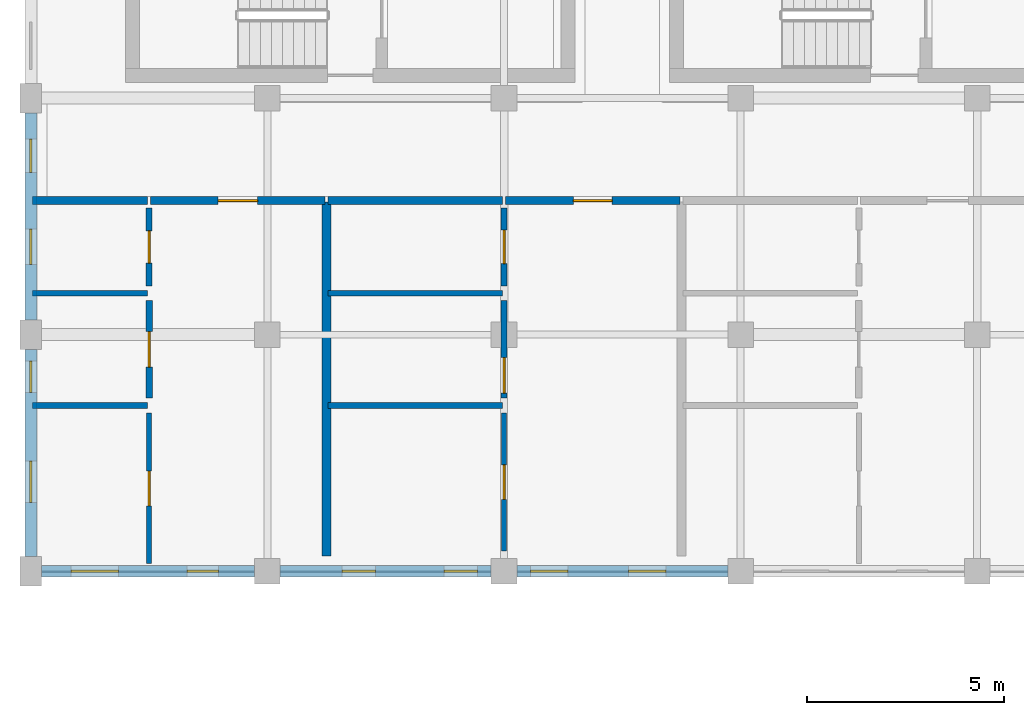
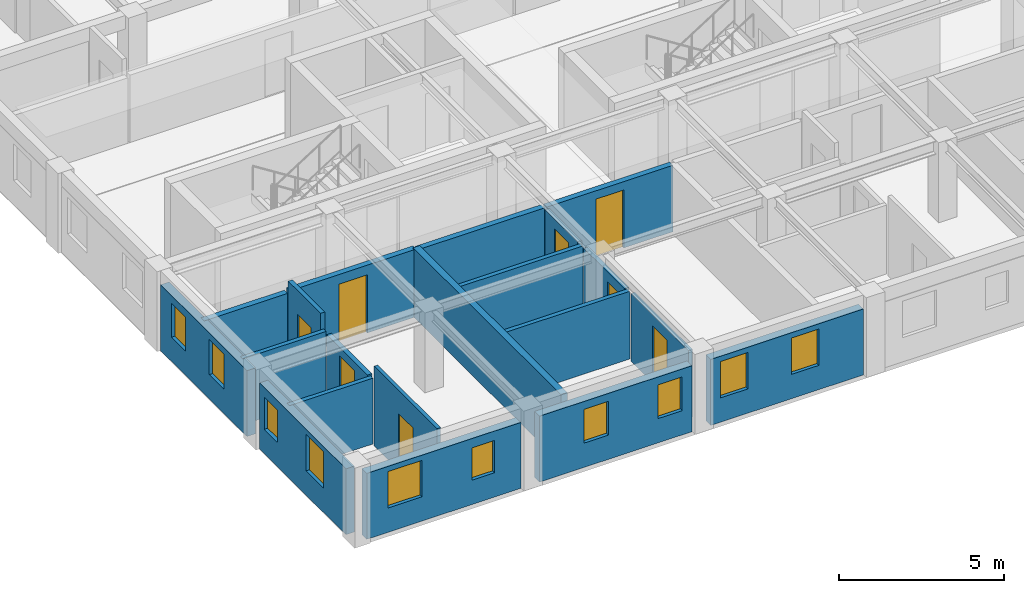
# One storey, part 54 of 100: 20 walls, 10 windows, 8 doors, 18 openings.
"""IFC4 building model written with IfcOpenShell, lengths in metres."""

import ifcopenshell
import ifcopenshell.guid

model = None  # the IFC model being written
_history = None  # IfcOwnerHistory: only IFC2X3 demands one
_inside = {}  # id of a spatial element -> (the spatial element, [elements in it])
_under = {}  # id of a project, library or spatial element -> (it, [spatial elements below it])
_declared = {}  # id of a project -> (the project, [libraries it declares])
_typed = {}  # id of a type object -> (the type object, [elements of that type])
_made_of = {}  # id of a material, layer set ... -> (it, [elements and type objects made of it])


def new_model(schema):
    """Start an empty IFC model of exactly this schema.

    Asked for "IFC4X3", IfcOpenShell would pick the latest addendum, in which some entities
    have other attributes; the version numbers below select the first issue.
    IFC2X3 requires an IfcOwnerHistory on every rooted entity: one is made here for all.
    """
    global model, _history
    if schema == "IFC4X3":
        model = ifcopenshell.file(schema_version=(4, 3, 0, 0))
    else:
        model = ifcopenshell.file(schema=schema)
    _inside.clear()
    _under.clear()
    _declared.clear()
    _typed.clear()
    _made_of.clear()
    _history = None
    if model.schema == "IFC2X3":
        org = make("IfcOrganization", Name="unknown")
        user = make(
            "IfcPersonAndOrganization",
            ThePerson=make("IfcPerson", FamilyName="unknown"),
            TheOrganization=org,
        )
        app = make(
            "IfcApplication",
            ApplicationDeveloper=org,
            Version="unknown",
            ApplicationFullName="unknown",
            ApplicationIdentifier="unknown",
        )
        _history = make(
            "IfcOwnerHistory",
            OwningUser=user,
            OwningApplication=app,
            ChangeAction="ADDED",
            CreationDate=0,
        )
    return model


def make(cls, **values):
    """One entity of the class cls with the attributes given. An attribute that is None is left unset."""
    return model.create_entity(
        cls, **{name: value for name, value in values.items() if value is not None}
    )


def rooted(cls, **values):
    """An entity with a GlobalId (a new one), such as an element, a storey or a relation."""
    return make(cls, GlobalId=ifcopenshell.guid.new(), OwnerHistory=_history, **values)


def si_unit(unit_type, name, prefix=None):
    """IfcSIUnit, for example si_unit("LENGTHUNIT", "METRE", prefix="MILLI")."""
    return make("IfcSIUnit", UnitType=unit_type, Prefix=prefix, Name=name)


def assignment(units):
    """IfcUnitAssignment: the units of a project."""
    return None if units is None else make("IfcUnitAssignment", Units=units)


def point(xyz):
    """IfcCartesianPoint."""
    return None if xyz is None else make("IfcCartesianPoint", Coordinates=xyz)


def direction(xyz):
    """IfcDirection."""
    return None if xyz is None else make("IfcDirection", DirectionRatios=xyz)


def frame(location, z_axis=None, x_axis=None):
    """IfcAxis2Placement3D, a coordinate frame: its origin and axes. An axis left out is left unset."""
    return make(
        "IfcAxis2Placement3D",
        Location=point(location),
        Axis=direction(z_axis),
        RefDirection=direction(x_axis),
    )


def frame_2d(location, x_axis=None):
    """IfcAxis2Placement2D, a coordinate frame in the plane: its origin and x axis."""
    return make(
        "IfcAxis2Placement2D", Location=point(location), RefDirection=direction(x_axis)
    )


def origin():
    """The frame at (0, 0, 0) with its axes left unset."""
    return frame((0.0, 0.0, 0.0))


def place(relative_to, where):
    """IfcLocalPlacement: puts the frame where relative to a parent placement (None: the world)."""
    return make(
        "IfcLocalPlacement", PlacementRelTo=relative_to, RelativePlacement=where
    )


def context(
    kind, dimensions, precision=None, world=None, true_north=None, identifier=None
):
    """IfcGeometricRepresentationContext, for example the 3D "Model" context."""
    return make(
        "IfcGeometricRepresentationContext",
        ContextIdentifier=identifier,
        ContextType=kind,
        CoordinateSpaceDimension=dimensions,
        Precision=precision,
        WorldCoordinateSystem=world,
        TrueNorth=true_north,
    )


def subcontext(parent, identifier, kind, view, scale=None):
    """IfcGeometricRepresentationSubContext, for example "Body" below "Model"."""
    return make(
        "IfcGeometricRepresentationSubContext",
        ContextIdentifier=identifier,
        ContextType=kind,
        ParentContext=parent,
        TargetScale=scale,
        TargetView=view,
    )


def project(units=None, contexts=None):
    """IfcProject with its units and contexts."""
    return rooted(
        "IfcProject",
        Name="project",
        RepresentationContexts=contexts,
        UnitsInContext=assignment(units),
    )


def spatial(cls, under=None, at=None, **own):
    """A site, building, storey or space (cls), placed at a placement, below another one or the project."""
    s = rooted(cls, ObjectPlacement=at, **own)
    if under is not None:
        _under.setdefault(under.id(), (under, []))[1].append(s)
    return s


def profile(cls, at=None, kind="AREA", **sizes):
    """A parametric profile (cls). Its sizes go by their IFC names, for example OverallWidth=200.0."""
    return make(cls, ProfileType=kind, Position=at, **sizes)


def rectangle(**sizes):
    """IfcRectangleProfileDef."""
    return profile("IfcRectangleProfileDef", **sizes)


def extrude(swept, where, along, depth):
    """IfcExtrudedAreaSolid: the profile swept, set in the frame where, extruded along a direction by depth."""
    return make(
        "IfcExtrudedAreaSolid",
        SweptArea=swept,
        Position=where,
        ExtrudedDirection=direction(along),
        Depth=depth,
    )


def shape(context_of_items, identifier, shape_type, items):
    """IfcShapeRepresentation: the items that make up one representation, for example the "Body"."""
    return make(
        "IfcShapeRepresentation",
        ContextOfItems=context_of_items,
        RepresentationIdentifier=identifier,
        RepresentationType=shape_type,
        Items=items,
    )


def material(Name=None, Category=None):
    """IfcMaterial."""
    return make("IfcMaterial", Name=Name, Category=Category)


def layer(
    of_material, thickness, ventilated=None, Name=None, Category=None, Priority=None
):
    """IfcMaterialLayer: one layer of a wall or slab, of a material (None: an air gap)."""
    return make(
        "IfcMaterialLayer",
        Material=of_material,
        LayerThickness=thickness,
        IsVentilated=ventilated,
        Name=Name,
        Category=Category,
        Priority=Priority,
    )


def layer_set(layers, Name=None):
    """IfcMaterialLayerSet."""
    return make("IfcMaterialLayerSet", MaterialLayers=layers, LayerSetName=Name)


def made_of(thing, what):
    """Note that an element or type object is made of a material, layer set ...; save() writes the relation."""
    if what is not None:
        _made_of.setdefault(what.id(), (what, []))[1].append(thing)
    return thing


def type_object(cls, material=None, **own):
    """A type object (cls), such as IfcWallType, which elements share."""
    return made_of(rooted(cls, **own), material)


def element(
    cls,
    number,
    at=None,
    inside=None,
    cuts=None,
    type_object=None,
    material=None,
    context=None,
    identifier="Body",
    shape_type=None,
    held_by="IfcProductDefinitionShape",
    body=None,
    shapes=None,
    **own,
):
    """One element of the class cls, such as IfcWall. Its Tag is "e" and its number.

    at: its placement. inside: the storey or other place that contains it. cuts: it is an
    opening in that element (IfcRelVoidsElement). A single representation is given by context,
    identifier, shape_type and body (its items); several are given by shapes. held_by: the class
    of the entity that holds the representations. save() writes the other relations.
    """
    e = rooted(cls, Tag="e%d" % number, ObjectPlacement=at, **own)
    if body is not None:
        shapes = [shape(context, identifier, shape_type, body)]
    if shapes is not None:
        e.Representation = make(held_by, Representations=shapes)
    if inside is not None:
        _inside.setdefault(inside.id(), (inside, []))[1].append(e)
    if cuts is not None:
        rooted(
            "IfcRelVoidsElement", RelatingBuildingElement=cuts, RelatedOpeningElement=e
        )
    if type_object is not None:
        _typed.setdefault(type_object.id(), (type_object, []))[1].append(e)
    return made_of(e, material)


def fill(opening, filler):
    """IfcRelFillsElement: the door or window that sits in an opening."""
    return rooted(
        "IfcRelFillsElement",
        RelatingOpeningElement=opening,
        RelatedBuildingElement=filler,
    )


def aggregate(whole, parts):
    """IfcRelAggregates: a whole, such as a stair, and the parts it consists of."""
    return rooted("IfcRelAggregates", RelatingObject=whole, RelatedObjects=parts)


def save(model, path):
    """Write the relations noted so far, then the file.

    IfcRelAggregates (storeys below a building ...), IfcRelContainedInSpatialStructure (elements
    in a storey), IfcRelDefinesByType, IfcRelAssociatesMaterial and IfcRelDeclares: one each for
    every whole, place, type object, material and project.
    """
    for whole, parts in _under.values():
        aggregate(whole, parts)
    for where, things in _inside.values():
        rooted(
            "IfcRelContainedInSpatialStructure",
            RelatedElements=things,
            RelatingStructure=where,
        )
    for kind, things in _typed.values():
        rooted("IfcRelDefinesByType", RelatedObjects=things, RelatingType=kind)
    for what, things in _made_of.values():
        rooted("IfcRelAssociatesMaterial", RelatedObjects=things, RelatingMaterial=what)
    for by, libraries in _declared.values():
        rooted("IfcRelDeclares", RelatingContext=by, RelatedDefinitions=libraries)
    model.write(path)


model = new_model("IFC4")

# Units and contexts
model_context = context("Model", 3, precision=1e-05, world=origin(), true_north=direction((0.0, 1.0)))
body_context = subcontext(model_context, "Body", "Model", "MODEL_VIEW")
ifc_project = project(units=[si_unit("LENGTHUNIT", "METRE"), si_unit("AREAUNIT", "SQUARE_METRE"), si_unit("VOLUMEUNIT", "CUBIC_METRE"), si_unit("PLANEANGLEUNIT", "RADIAN"), si_unit("MASSUNIT", "GRAM", prefix="KILO"), si_unit("POWERUNIT", "WATT"), si_unit("THERMODYNAMICTEMPERATUREUNIT", "KELVIN")], contexts=[model_context])

# Site, building, storey
site_placement = place(None, origin())
site = spatial("IfcSite", under=ifc_project, at=site_placement, CompositionType="ELEMENT")
building_placement = place(site_placement, origin())
building = spatial("IfcBuilding", under=site, at=building_placement, Name="Ruvembo Vaulted Housing Court", CompositionType="ELEMENT")
storey_placement = place(building_placement, frame((0.0, 0.0, 10.89990234375)))
storey = spatial("IfcBuildingStorey", under=building, at=storey_placement, Name="L03", CompositionType="ELEMENT", Elevation=10.89990234375)

# Wall
ifc_material_1 = material(Name="Concrete Blockwork 200", Category="masonry")
ifc_layer_1 = layer(ifc_material_1, 0.199951171875, Name="Concrete Blockwork 200")
ifc_layer_set_1 = layer_set([ifc_layer_1], Name="Concrete Blockwork 200")
wall_type_1 = type_object("IfcWallType", Name="WL-CORR-200", PredefinedType="SOLIDWALL", material=ifc_layer_set_1)
wall_1_placement = place(storey_placement, frame((0.0400390625, 15.39990234375, 0.0), z_axis=(0.0, 0.0, 1.0), x_axis=(1.0, 0.0, 0.0)))
element("IfcWall", 1, at=wall_1_placement, inside=storey, type_object=wall_type_1, Name="L03 Flat A-L03-S1 Corridor Wall WL-INT-L03-00776", PredefinedType="SOLIDWALL", context=body_context, shape_type="SweptSolid", body=[
    extrude(rectangle(XDim=2.919921875, YDim=0.199951171875, at=frame_2d((1.4599609375, 0.0))), origin(), (0.0, 0.0, 1.0), 2.442138671875),
])

# Wall, opening, door
wall_2_placement = place(storey_placement, frame((3.0400390625, 15.39990234375, 0.0), z_axis=(0.0, 0.0, 1.0), x_axis=(1.0, 0.0, 0.0)))
wall_2 = element("IfcWall", 2, at=wall_2_placement, inside=storey, type_object=wall_type_1, Name="L03 Flat A-L03-S1 Entrance WL-INT-L03-00777", PredefinedType="SOLIDWALL", context=body_context, shape_type="SweptSolid", body=[
    extrude(rectangle(XDim=4.419921875, YDim=0.199951171875, at=frame_2d((2.2099609375, 0.0))), origin(), (0.0, 0.0, 1.0), 2.508056640625),
])
opening_1_placement = place(wall_2_placement, frame((1.7099609375, 0.0, 0.0)))
opening_1 = element("IfcOpeningElement", 3, at=opening_1_placement, cuts=wall_2, Name="Opening FD1", PredefinedType="OPENING", context=body_context, shape_type="SweptSolid", body=[
    extrude(rectangle(XDim=1.0, YDim=2.14990234375, at=frame_2d((0.5, 1.074951171875))), frame((0.0, 0.10986328125, 0.0), z_axis=(0.0, -1.0, 0.0), x_axis=(1.0, 0.0, 0.0)), (0.0, 0.0, 1.0), 0.219970703125),
])
ifc_material_2 = material(Name="FSC Hardwood and Engineered Timber", Category="wood")
door_type_1 = type_object("IfcDoorType", Name="DR-FLAT-1000x2150", OperationType="NOTDEFINED", PredefinedType="DOOR", material=ifc_material_2)
door_1_placement = place(opening_1_placement, origin())
door_1 = element("IfcDoor", 4, at=door_1_placement, inside=storey, type_object=door_type_1, Name="L03 Flat A-L03-S1 Entrance Door DR-INT-L03-00432", OperationType="SINGLE_SWING_RIGHT", OverallHeight=2.14990234375, OverallWidth=1.0, PredefinedType="DOOR", context=body_context, shape_type="SweptSolid", body=[
    extrude(rectangle(XDim=1.0, YDim=2.14990234375, at=frame_2d((0.5, 1.074951171875))), frame((0.0, 0.02490234375, 0.0), z_axis=(0.0, -1.0, 0.0), x_axis=(1.0, 0.0, 0.0)), (0.0, 0.0, 1.0), 0.050048828125),
])
fill(opening_1, door_1)

# Wall
wall_3_placement = place(storey_placement, frame((7.5400390625, 15.39990234375, 0.0), z_axis=(0.0, 0.0, 1.0), x_axis=(1.0, 0.0, 0.0)))
element("IfcWall", 5, at=wall_3_placement, inside=storey, type_object=wall_type_1, Name="L03 Flat A-L03-S2 Corridor Wall WL-INT-L03-00784", PredefinedType="SOLIDWALL", context=body_context, shape_type="SweptSolid", body=[
    extrude(rectangle(XDim=4.419921875, YDim=0.199951171875, at=frame_2d((2.2099609375, 0.0))), origin(), (0.0, 0.0, 1.0), 2.4580078125),
])

# Wall, opening, door
wall_4_placement = place(storey_placement, frame((12.0400390625, 15.39990234375, 0.0), z_axis=(0.0, 0.0, 1.0), x_axis=(1.0, 0.0, 0.0)))
wall_4 = element("IfcWall", 6, at=wall_4_placement, inside=storey, type_object=wall_type_1, Name="L03 Flat A-L03-S2 Entrance WL-INT-L03-00785", PredefinedType="SOLIDWALL", context=body_context, shape_type="SweptSolid", body=[
    extrude(rectangle(XDim=4.419921875, YDim=0.199951171875, at=frame_2d((2.2099609375, 0.0))), origin(), (0.0, 0.0, 1.0), 2.4580078125),
])
opening_2_placement = place(wall_4_placement, frame((1.719970703125, 0.0, 0.0)))
opening_2 = element("IfcOpeningElement", 7, at=opening_2_placement, cuts=wall_4, Name="Opening FD2", PredefinedType="OPENING", context=body_context, shape_type="SweptSolid", body=[
    extrude(rectangle(XDim=0.97998046875, YDim=2.14990234375, at=frame_2d((0.489990234375, 1.074951171875))), frame((0.0, 0.10986328125, 0.0), z_axis=(0.0, -1.0, 0.0), x_axis=(1.0, 0.0, 0.0)), (0.0, 0.0, 1.0), 0.219970703125),
])
door_type_2 = type_object("IfcDoorType", Name="DR-FLAT-0980x2150", OperationType="NOTDEFINED", PredefinedType="DOOR", material=ifc_material_2)
door_2_placement = place(opening_2_placement, origin())
door_2 = element("IfcDoor", 8, at=door_2_placement, inside=storey, type_object=door_type_2, Name="L03 Flat A-L03-S2 Entrance Door DR-INT-L03-00436", OperationType="SINGLE_SWING_RIGHT", OverallHeight=2.14990234375, OverallWidth=0.97998046875, PredefinedType="DOOR", context=body_context, shape_type="SweptSolid", body=[
    extrude(rectangle(XDim=0.97998046875, YDim=2.14990234375, at=frame_2d((0.489990234375, 1.074951171875))), frame((0.0, 0.02490234375, 0.0), z_axis=(0.0, -1.0, 0.0), x_axis=(1.0, 0.0, 0.0)), (0.0, 0.0, 1.0), 0.050048828125),
])
fill(opening_2, door_2)

# Wall
ifc_material_3 = material(Name="Acoustic Masonry Demising 230", Category="masonry")
ifc_layer_2 = layer(ifc_material_3, 0.22998046875, Name="Acoustic Masonry Demising 230")
ifc_layer_set_2 = layer_set([ifc_layer_2], Name="Acoustic Masonry Demising 230")
wall_type_2 = type_object("IfcWallType", Name="WL-DEM-230", PredefinedType="SOLIDWALL", material=ifc_layer_set_2)
wall_5_placement = place(storey_placement, frame((7.5, 6.389892578125, 0.0), z_axis=(0.0, 0.0, 1.0), x_axis=(0.0, 1.0, 0.0)))
element("IfcWall", 9, at=wall_5_placement, inside=storey, type_object=wall_type_2, Name="L03 Demising A-L03-S1 WL-INT-L03-00775", PredefinedType="SOLIDWALL", context=body_context, shape_type="SweptSolid", body=[
    extrude(rectangle(XDim=8.97021484375, YDim=0.22998046875, at=frame_2d((4.485107421875, 0.0))), origin(), (0.0, 0.0, 1.0), 2.548095703125),
])

# Wall, openings, windows
ifc_material_4 = material(Name="Rendered Masonry 300", Category="masonry")
ifc_layer_3 = layer(ifc_material_4, 0.300048828125, Name="Rendered Masonry 300")
ifc_layer_set_3 = layer_set([ifc_layer_3], Name="Rendered Masonry 300")
wall_type_3 = type_object("IfcWallType", Name="WL-EXT-300", PredefinedType="STANDARD", material=ifc_layer_set_3)
wall_6_placement = place(storey_placement, frame((0.27490234375, 6.0, 0.0), z_axis=(0.0, 0.0, 1.0), x_axis=(1.0, 0.0, 0.0)))
wall_6 = element("IfcWall", 10, at=wall_6_placement, inside=storey, type_object=wall_type_3, Name="Block A L03 Exterior Wall STREET #1", PredefinedType="STANDARD", context=body_context, shape_type="SweptSolid", body=[
    extrude(rectangle(XDim=5.400146484375, YDim=0.300048828125, at=frame_2d((2.7001953125, 0.0))), origin(), (0.0, 0.0, 1.0), 2.442138671875),
])
opening_3_placement = place(wall_6_placement, frame((0.742431640625, 0.0, 0.89990234375)))
opening_3 = element("IfcOpeningElement", 11, at=opening_3_placement, cuts=wall_6, Name="Opening W12", PredefinedType="OPENING", context=body_context, shape_type="SweptSolid", body=[
    extrude(rectangle(XDim=1.199951171875, YDim=1.35009765625, at=frame_2d((0.60009765625, 0.675048828125))), frame((0.0, 0.159912109375, 0.0), z_axis=(0.0, -1.0, 0.0), x_axis=(1.0, 0.0, 0.0)), (0.0, 0.0, 1.0), 0.320068359375),
])
opening_4_placement = place(wall_6_placement, frame((3.6826171875, 0.0, 0.89990234375)))
opening_4 = element("IfcOpeningElement", 12, at=opening_4_placement, cuts=wall_6, Name="Opening W02", PredefinedType="OPENING", context=body_context, shape_type="SweptSolid", body=[
    extrude(rectangle(XDim=0.800048828125, YDim=1.199951171875, at=frame_2d((0.39990234375, 0.60009765625))), frame((0.0, 0.159912109375, 0.0), z_axis=(0.0, -1.0, 0.0), x_axis=(1.0, 0.0, 0.0)), (0.0, 0.0, 1.0), 0.320068359375),
])
ifc_material_5 = material(Name="Double Solar-Control Glazing in Aluminium Frame", Category="aluminium")
window_type_1 = type_object("IfcWindowType", Name="WIN-0800x1200", PartitioningType="SINGLE_PANEL", PredefinedType="WINDOW", material=ifc_material_5)
window_1_placement = place(opening_4_placement, origin())
window_1 = element("IfcWindow", 13, at=window_1_placement, inside=storey, type_object=window_type_1, Name="Block A L03 Window #126", OverallHeight=1.199951171875, OverallWidth=0.800048828125, PartitioningType="SINGLE_PANEL", PredefinedType="WINDOW", context=body_context, shape_type="SweptSolid", body=[
    extrude(rectangle(XDim=0.800048828125, YDim=1.199951171875, at=frame_2d((0.39990234375, 0.60009765625))), frame((0.0, 0.030029296875, 0.0), z_axis=(0.0, -1.0, 0.0), x_axis=(1.0, 0.0, 0.0)), (0.0, 0.0, 1.0), 0.06005859375),
])
fill(opening_4, window_1)
window_type_2 = type_object("IfcWindowType", Name="WIN-1200x1350", PartitioningType="SINGLE_PANEL", PredefinedType="WINDOW", material=ifc_material_5)
window_2_placement = place(opening_3_placement, origin())
window_2 = element("IfcWindow", 14, at=window_2_placement, inside=storey, type_object=window_type_2, Name="Block A L03 Window #125", OverallHeight=1.35009765625, OverallWidth=1.199951171875, PartitioningType="SINGLE_PANEL", PredefinedType="WINDOW", context=body_context, shape_type="SweptSolid", body=[
    extrude(rectangle(XDim=1.199951171875, YDim=1.35009765625, at=frame_2d((0.60009765625, 0.675048828125))), frame((0.0, 0.030029296875, 0.0), z_axis=(0.0, -1.0, 0.0), x_axis=(1.0, 0.0, 0.0)), (0.0, 0.0, 1.0), 0.06005859375),
])
fill(opening_3, window_2)

wall_7_placement = place(storey_placement, frame((6.324951171875, 6.0, 0.0), z_axis=(0.0, 0.0, 1.0), x_axis=(1.0, 0.0, 0.0)))
wall_7 = element("IfcWall", 15, at=wall_7_placement, inside=storey, type_object=wall_type_3, Name="Block A L03 Exterior Wall STREET #2", PredefinedType="STANDARD", context=body_context, shape_type="SweptSolid", body=[
    extrude(rectangle(XDim=5.35009765625, YDim=0.300048828125, at=frame_2d((2.675048828125, 0.0))), origin(), (0.0, 0.0, 1.0), 2.442138671875),
])
opening_5_placement = place(wall_7_placement, frame((1.56494140625, 0.0, 0.89990234375)))
opening_5 = element("IfcOpeningElement", 16, at=opening_5_placement, cuts=wall_7, Name="Opening W03", PredefinedType="OPENING", context=body_context, shape_type="SweptSolid", body=[
    extrude(rectangle(XDim=0.85009765625, YDim=1.25, at=frame_2d((0.425048828125, 0.625))), frame((0.0, 0.159912109375, 0.0), z_axis=(0.0, -1.0, 0.0), x_axis=(1.0, 0.0, 0.0)), (0.0, 0.0, 1.0), 0.320068359375),
])
opening_6_placement = place(wall_7_placement, frame((4.14990234375, 0.0, 0.89990234375)))
opening_6 = element("IfcOpeningElement", 17, at=opening_6_placement, cuts=wall_7, Name="Opening W03", PredefinedType="OPENING", context=body_context, shape_type="SweptSolid", body=[
    extrude(rectangle(XDim=0.85009765625, YDim=1.25, at=frame_2d((0.425048828125, 0.625))), frame((0.0, 0.159912109375, 0.0), z_axis=(0.0, -1.0, 0.0), x_axis=(1.0, 0.0, 0.0)), (0.0, 0.0, 1.0), 0.320068359375),
])
window_type_3 = type_object("IfcWindowType", Name="WIN-0850x1250", PartitioningType="SINGLE_PANEL", PredefinedType="WINDOW", material=ifc_material_5)
window_3_placement = place(opening_5_placement, origin())
window_3 = element("IfcWindow", 18, at=window_3_placement, inside=storey, type_object=window_type_3, Name="Block A L03 Window #127", OverallHeight=1.25, OverallWidth=0.85009765625, PartitioningType="SINGLE_PANEL", PredefinedType="WINDOW", context=body_context, shape_type="SweptSolid", body=[
    extrude(rectangle(XDim=0.85009765625, YDim=1.25, at=frame_2d((0.425048828125, 0.625))), frame((0.0, 0.030029296875, 0.0), z_axis=(0.0, -1.0, 0.0), x_axis=(1.0, 0.0, 0.0)), (0.0, 0.0, 1.0), 0.06005859375),
])
fill(opening_5, window_3)
window_4_placement = place(opening_6_placement, origin())
window_4 = element("IfcWindow", 19, at=window_4_placement, inside=storey, type_object=window_type_3, Name="Block A L03 Window #128", OverallHeight=1.25, OverallWidth=0.85009765625, PartitioningType="SINGLE_PANEL", PredefinedType="WINDOW", context=body_context, shape_type="SweptSolid", body=[
    extrude(rectangle(XDim=0.85009765625, YDim=1.25, at=frame_2d((0.425048828125, 0.625))), frame((0.0, 0.030029296875, 0.0), z_axis=(0.0, -1.0, 0.0), x_axis=(1.0, 0.0, 0.0)), (0.0, 0.0, 1.0), 0.06005859375),
])
fill(opening_6, window_4)

wall_8_placement = place(storey_placement, frame((12.324951171875, 6.0, 0.0), z_axis=(0.0, 0.0, 1.0), x_axis=(1.0, 0.0, 0.0)))
wall_8 = element("IfcWall", 20, at=wall_8_placement, inside=storey, type_object=wall_type_3, Name="Block A L03 Exterior Wall STREET #3", PredefinedType="STANDARD", context=body_context, shape_type="SweptSolid", body=[
    extrude(rectangle(XDim=5.35009765625, YDim=0.300048828125, at=frame_2d((2.675048828125, 0.0))), origin(), (0.0, 0.0, 1.0), 2.442138671875),
])
opening_7_placement = place(wall_8_placement, frame((0.35009765625, 0.0, 0.89990234375)))
opening_7 = element("IfcOpeningElement", 21, at=opening_7_placement, cuts=wall_8, Name="Opening W07", PredefinedType="OPENING", context=body_context, shape_type="SweptSolid", body=[
    extrude(rectangle(XDim=0.949951171875, YDim=1.35009765625, at=frame_2d((0.47509765625, 0.675048828125))), frame((0.0, 0.159912109375, 0.0), z_axis=(0.0, -1.0, 0.0), x_axis=(1.0, 0.0, 0.0)), (0.0, 0.0, 1.0), 0.320068359375),
])
opening_8_placement = place(wall_8_placement, frame((2.8349609375, 0.0, 0.89990234375)))
opening_8 = element("IfcOpeningElement", 22, at=opening_8_placement, cuts=wall_8, Name="Opening W07", PredefinedType="OPENING", context=body_context, shape_type="SweptSolid", body=[
    extrude(rectangle(XDim=0.949951171875, YDim=1.35009765625, at=frame_2d((0.47509765625, 0.675048828125))), frame((0.0, 0.159912109375, 0.0), z_axis=(0.0, -1.0, 0.0), x_axis=(1.0, 0.0, 0.0)), (0.0, 0.0, 1.0), 0.320068359375),
])
window_type_4 = type_object("IfcWindowType", Name="WIN-0950x1350", PartitioningType="SINGLE_PANEL", PredefinedType="WINDOW", material=ifc_material_5)
window_5_placement = place(opening_7_placement, origin())
window_5 = element("IfcWindow", 23, at=window_5_placement, inside=storey, type_object=window_type_4, Name="Block A L03 Window #129", OverallHeight=1.35009765625, OverallWidth=0.949951171875, PartitioningType="SINGLE_PANEL", PredefinedType="WINDOW", context=body_context, shape_type="SweptSolid", body=[
    extrude(rectangle(XDim=0.949951171875, YDim=1.35009765625, at=frame_2d((0.47509765625, 0.675048828125))), frame((0.0, 0.030029296875, 0.0), z_axis=(0.0, -1.0, 0.0), x_axis=(1.0, 0.0, 0.0)), (0.0, 0.0, 1.0), 0.06005859375),
])
fill(opening_7, window_5)
window_6_placement = place(opening_8_placement, origin())
window_6 = element("IfcWindow", 24, at=window_6_placement, inside=storey, type_object=window_type_4, Name="Block A L03 Window #130", OverallHeight=1.35009765625, OverallWidth=0.949951171875, PartitioningType="SINGLE_PANEL", PredefinedType="WINDOW", context=body_context, shape_type="SweptSolid", body=[
    extrude(rectangle(XDim=0.949951171875, YDim=1.35009765625, at=frame_2d((0.47509765625, 0.675048828125))), frame((0.0, 0.030029296875, 0.0), z_axis=(0.0, -1.0, 0.0), x_axis=(1.0, 0.0, 0.0)), (0.0, 0.0, 1.0), 0.06005859375),
])
fill(opening_8, window_6)

wall_9_placement = place(storey_placement, frame((0.0, 17.625, 0.0), z_axis=(0.0, 0.0, 1.0), x_axis=(0.0, -1.0, 0.0)))
wall_9 = element("IfcWall", 25, at=wall_9_placement, inside=storey, type_object=wall_type_3, Name="Block A L03 Exterior Wall WEST #5", PredefinedType="STANDARD", context=body_context, shape_type="SweptSolid", body=[
    extrude(rectangle(XDim=5.25, YDim=0.300048828125, at=frame_2d((2.625, 0.0))), origin(), (0.0, 0.0, 1.0), 2.442138671875),
])
opening_9_placement = place(wall_9_placement, frame((0.66748046875, 0.0, 0.89990234375)))
opening_9 = element("IfcOpeningElement", 26, at=opening_9_placement, cuts=wall_9, Name="Opening W03", PredefinedType="OPENING", context=body_context, shape_type="SweptSolid", body=[
    extrude(rectangle(XDim=0.85009765625, YDim=1.25, at=frame_2d((0.425048828125, 0.625))), frame((0.0, 0.159912109375, 0.0), z_axis=(0.0, -1.0, 0.0), x_axis=(1.0, 0.0, 0.0)), (0.0, 0.0, 1.0), 0.320068359375),
])
opening_10_placement = place(wall_9_placement, frame((2.949951171875, 0.0, 0.89990234375)))
opening_10 = element("IfcOpeningElement", 27, at=opening_10_placement, cuts=wall_9, Name="Opening W04", PredefinedType="OPENING", context=body_context, shape_type="SweptSolid", body=[
    extrude(rectangle(XDim=0.89990234375, YDim=1.300048828125, at=frame_2d((0.449951171875, 0.64990234375))), frame((0.0, 0.159912109375, 0.0), z_axis=(0.0, -1.0, 0.0), x_axis=(1.0, 0.0, 0.0)), (0.0, 0.0, 1.0), 0.320068359375),
])
window_7_placement = place(opening_9_placement, origin())
window_7 = element("IfcWindow", 28, at=window_7_placement, inside=storey, type_object=window_type_3, Name="Block A L03 Window #163", OverallHeight=1.25, OverallWidth=0.85009765625, PartitioningType="SINGLE_PANEL", PredefinedType="WINDOW", context=body_context, shape_type="SweptSolid", body=[
    extrude(rectangle(XDim=0.85009765625, YDim=1.25, at=frame_2d((0.425048828125, 0.625))), frame((0.0, 0.030029296875, 0.0), z_axis=(0.0, -1.0, 0.0), x_axis=(1.0, 0.0, 0.0)), (0.0, 0.0, 1.0), 0.06005859375),
])
fill(opening_9, window_7)
window_type_5 = type_object("IfcWindowType", Name="WIN-0900x1300", PartitioningType="SINGLE_PANEL", PredefinedType="WINDOW", material=ifc_material_5)
window_8_placement = place(opening_10_placement, origin())
window_8 = element("IfcWindow", 29, at=window_8_placement, inside=storey, type_object=window_type_5, Name="Block A L03 Window #164", OverallHeight=1.300048828125, OverallWidth=0.89990234375, PartitioningType="SINGLE_PANEL", PredefinedType="WINDOW", context=body_context, shape_type="SweptSolid", body=[
    extrude(rectangle(XDim=0.89990234375, YDim=1.300048828125, at=frame_2d((0.449951171875, 0.64990234375))), frame((0.0, 0.030029296875, 0.0), z_axis=(0.0, -1.0, 0.0), x_axis=(1.0, 0.0, 0.0)), (0.0, 0.0, 1.0), 0.06005859375),
])
fill(opening_10, window_8)

wall_10_placement = place(storey_placement, frame((0.0, 11.625, 0.0), z_axis=(0.0, 0.0, 1.0), x_axis=(0.0, -1.0, 0.0)))
wall_10 = element("IfcWall", 30, at=wall_10_placement, inside=storey, type_object=wall_type_3, Name="Block A L03 Exterior Wall WEST #6", PredefinedType="STANDARD", context=body_context, shape_type="SweptSolid", body=[
    extrude(rectangle(XDim=5.25, YDim=0.300048828125, at=frame_2d((2.625, 0.0))), origin(), (0.0, 0.0, 1.0), 2.442138671875),
])
opening_11_placement = place(wall_10_placement, frame((0.29248046875, 0.0, 0.89990234375)))
opening_11 = element("IfcOpeningElement", 31, at=opening_11_placement, cuts=wall_10, Name="Opening W02", PredefinedType="OPENING", context=body_context, shape_type="SweptSolid", body=[
    extrude(rectangle(XDim=0.800048828125, YDim=1.199951171875, at=frame_2d((0.39990234375, 0.60009765625))), frame((0.0, 0.159912109375, 0.0), z_axis=(0.0, -1.0, 0.0), x_axis=(1.0, 0.0, 0.0)), (0.0, 0.0, 1.0), 0.320068359375),
])
opening_12_placement = place(wall_10_placement, frame((2.83251953125, 0.0, 0.89990234375)))
opening_12 = element("IfcOpeningElement", 32, at=opening_12_placement, cuts=wall_10, Name="Opening W09", PredefinedType="OPENING", context=body_context, shape_type="SweptSolid", body=[
    extrude(rectangle(XDim=1.050048828125, YDim=1.35009765625, at=frame_2d((0.52490234375, 0.675048828125))), frame((0.0, 0.159912109375, 0.0), z_axis=(0.0, -1.0, 0.0), x_axis=(1.0, 0.0, 0.0)), (0.0, 0.0, 1.0), 0.320068359375),
])
window_9_placement = place(opening_11_placement, origin())
window_9 = element("IfcWindow", 33, at=window_9_placement, inside=storey, type_object=window_type_1, Name="Block A L03 Window #165", OverallHeight=1.199951171875, OverallWidth=0.800048828125, PartitioningType="SINGLE_PANEL", PredefinedType="WINDOW", context=body_context, shape_type="SweptSolid", body=[
    extrude(rectangle(XDim=0.800048828125, YDim=1.199951171875, at=frame_2d((0.39990234375, 0.60009765625))), frame((0.0, 0.030029296875, 0.0), z_axis=(0.0, -1.0, 0.0), x_axis=(1.0, 0.0, 0.0)), (0.0, 0.0, 1.0), 0.06005859375),
])
fill(opening_11, window_9)
window_type_6 = type_object("IfcWindowType", Name="WIN-1050x1350", PartitioningType="SINGLE_PANEL", PredefinedType="WINDOW", material=ifc_material_5)
window_10_placement = place(opening_12_placement, origin())
window_10 = element("IfcWindow", 34, at=window_10_placement, inside=storey, type_object=window_type_6, Name="Block A L03 Window #166", OverallHeight=1.35009765625, OverallWidth=1.050048828125, PartitioningType="SINGLE_PANEL", PredefinedType="WINDOW", context=body_context, shape_type="SweptSolid", body=[
    extrude(rectangle(XDim=1.050048828125, YDim=1.35009765625, at=frame_2d((0.52490234375, 0.675048828125))), frame((0.0, 0.030029296875, 0.0), z_axis=(0.0, -1.0, 0.0), x_axis=(1.0, 0.0, 0.0)), (0.0, 0.0, 1.0), 0.06005859375),
])
fill(opening_12, window_10)

# Wall, opening, door
ifc_material_6 = material(Name="Plasterboard Stud Partition 125", Category="gypsum")
ifc_layer_4 = layer(ifc_material_6, 0.125, Name="Plasterboard Stud Partition 125")
ifc_layer_set_4 = layer_set([ifc_layer_4], Name="Plasterboard Stud Partition 125")
wall_type_4 = type_object("IfcWallType", Name="WL-PART-125", PredefinedType="PARTITIONING", material=ifc_layer_set_4)
wall_11_placement = place(storey_placement, frame((3.0, 6.18994140625, 0.0), z_axis=(0.0, 0.0, 1.0), x_axis=(0.0, 1.0, 0.0)))
wall_11 = element("IfcWall", 35, at=wall_11_placement, inside=storey, type_object=wall_type_4, Name="L03 Flat A-L03-S1 Bedroom 1 WL-INT-L03-00778", PredefinedType="PARTITIONING", context=body_context, shape_type="SweptSolid", body=[
    extrude(rectangle(XDim=3.820068359375, YDim=0.125, at=frame_2d((1.91015625, 0.0))), origin(), (0.0, 0.0, 1.0), 2.960205078125),
])
opening_13_placement = place(wall_11_placement, frame((1.469970703125, 0.0, 0.0)))
opening_13 = element("IfcOpeningElement", 36, at=opening_13_placement, cuts=wall_11, Name="Opening ID3", PredefinedType="OPENING", context=body_context, shape_type="SweptSolid", body=[
    extrude(rectangle(XDim=0.8798828125, YDim=2.10009765625, at=frame_2d((0.43994140625, 1.050048828125))), frame((0.0, 0.072509765625, 0.0), z_axis=(0.0, -1.0, 0.0), x_axis=(1.0, 0.0, 0.0)), (0.0, 0.0, 1.0), 0.14501953125),
])
door_type_3 = type_object("IfcDoorType", Name="DR-ROOM-0880x2100", OperationType="NOTDEFINED", PredefinedType="DOOR", material=ifc_material_2)
door_3_placement = place(opening_13_placement, origin())
door_3 = element("IfcDoor", 37, at=door_3_placement, inside=storey, type_object=door_type_3, Name="L03 Flat A-L03-S1 Bedroom 1 Door DR-INT-L03-00433", OperationType="SINGLE_SWING_LEFT", OverallHeight=2.10009765625, OverallWidth=0.8798828125, PredefinedType="DOOR", context=body_context, shape_type="SweptSolid", body=[
    extrude(rectangle(XDim=0.8798828125, YDim=2.10009765625, at=frame_2d((0.43994140625, 1.050048828125))), frame((0.0, 0.02490234375, 0.0), z_axis=(0.0, -1.0, 0.0), x_axis=(1.0, 0.0, 0.0)), (0.0, 0.0, 1.0), 0.050048828125),
])
fill(opening_13, door_3)

ifc_material_7 = material(Name="Acoustic Stud Partition 135", Category="gypsum")
ifc_layer_5 = layer(ifc_material_7, 0.135009765625, Name="Acoustic Stud Partition 135")
ifc_layer_set_5 = layer_set([ifc_layer_5], Name="Acoustic Stud Partition 135")
wall_type_5 = type_object("IfcWallType", Name="WL-PART-135", PredefinedType="PARTITIONING", material=ifc_layer_set_5)
wall_12_placement = place(storey_placement, frame((12.0, 6.510009765625, 0.0), z_axis=(0.0, 0.0, 1.0), x_axis=(0.0, 1.0, 0.0)))
wall_12 = element("IfcWall", 38, at=wall_12_placement, inside=storey, type_object=wall_type_5, Name="L03 Flat A-L03-S2 Bedroom 1 WL-INT-L03-00786", PredefinedType="PARTITIONING", context=body_context, shape_type="SweptSolid", body=[
    extrude(rectangle(XDim=3.5, YDim=0.135009765625, at=frame_2d((1.75, 0.0))), origin(), (0.0, 0.0, 1.0), 2.508056640625),
])
opening_14_placement = place(wall_12_placement, frame((1.31005859375, 0.0, 0.0)))
opening_14 = element("IfcOpeningElement", 39, at=opening_14_placement, cuts=wall_12, Name="Opening ID3", PredefinedType="OPENING", context=body_context, shape_type="SweptSolid", body=[
    extrude(rectangle(XDim=0.8798828125, YDim=2.10009765625, at=frame_2d((0.43994140625, 1.050048828125))), frame((0.0, 0.077392578125, 0.0), z_axis=(0.0, -1.0, 0.0), x_axis=(1.0, 0.0, 0.0)), (0.0, 0.0, 1.0), 0.155029296875),
])
door_4_placement = place(opening_14_placement, origin())
door_4 = element("IfcDoor", 40, at=door_4_placement, inside=storey, type_object=door_type_3, Name="L03 Flat A-L03-S2 Bedroom 1 Door DR-INT-L03-00437", OperationType="SINGLE_SWING_LEFT", OverallHeight=2.10009765625, OverallWidth=0.8798828125, PredefinedType="DOOR", context=body_context, shape_type="SweptSolid", body=[
    extrude(rectangle(XDim=0.8798828125, YDim=2.10009765625, at=frame_2d((0.43994140625, 1.050048828125))), frame((0.0, 0.02490234375, 0.0), z_axis=(0.0, -1.0, 0.0), x_axis=(1.0, 0.0, 0.0)), (0.0, 0.0, 1.0), 0.050048828125),
])
fill(opening_14, door_4)

ifc_material_8 = material(Name="Moisture-Resistant Wet Partition 150", Category="gypsum")
ifc_layer_6 = layer(ifc_material_8, 0.14990234375, Name="Moisture-Resistant Wet Partition 150")
ifc_layer_set_6 = layer_set([ifc_layer_6], Name="Moisture-Resistant Wet Partition 150")
wall_type_6 = type_object("IfcWallType", Name="WL-PART-150", PredefinedType="PARTITIONING", material=ifc_layer_set_6)
wall_13_placement = place(storey_placement, frame((3.0, 13.239990234375, 0.0), z_axis=(0.0, 0.0, 1.0), x_axis=(0.0, 1.0, 0.0)))
wall_13 = element("IfcWall", 41, at=wall_13_placement, inside=storey, type_object=wall_type_6, Name="L03 Flat A-L03-S1 Bathroom WL-INT-L03-00780", PredefinedType="PARTITIONING", context=body_context, shape_type="SweptSolid", body=[
    extrude(rectangle(XDim=1.969970703125, YDim=0.14990234375, at=frame_2d((0.98486328125, 0.0))), origin(), (0.0, 0.0, 1.0), 2.960205078125),
])
opening_15_placement = place(wall_13_placement, frame((0.574951171875, 0.0, 0.0)))
opening_15 = element("IfcOpeningElement", 42, at=opening_15_placement, cuts=wall_13, Name="Opening ID4", PredefinedType="OPENING", context=body_context, shape_type="SweptSolid", body=[
    extrude(rectangle(XDim=0.820068359375, YDim=2.080078125, at=frame_2d((0.41015625, 1.0400390625))), frame((0.0, 0.0849609375, 0.0), z_axis=(0.0, -1.0, 0.0), x_axis=(1.0, 0.0, 0.0)), (0.0, 0.0, 1.0), 0.169921875),
])
door_type_4 = type_object("IfcDoorType", Name="DR-WET-0820x2080", OperationType="NOTDEFINED", PredefinedType="DOOR", material=ifc_material_2)
door_5_placement = place(opening_15_placement, origin())
door_5 = element("IfcDoor", 43, at=door_5_placement, inside=storey, type_object=door_type_4, Name="L03 Flat A-L03-S1 Bathroom Door DR-INT-L03-00435", OperationType="SINGLE_SWING_LEFT", OverallHeight=2.080078125, OverallWidth=0.820068359375, PredefinedType="DOOR", context=body_context, shape_type="SweptSolid", body=[
    extrude(rectangle(XDim=0.820068359375, YDim=2.080078125, at=frame_2d((0.41015625, 1.0400390625))), frame((0.0, 0.02490234375, 0.0), z_axis=(0.0, -1.0, 0.0), x_axis=(1.0, 0.0, 0.0)), (0.0, 0.0, 1.0), 0.050048828125),
])
fill(opening_15, door_5)

# Walls
for number, where, z_axis, x_axis, name in (
    (44, (0.0400390625, 10.199951171875, 0.0), (0.0, 0.0, 1.0), (1.0, 0.0, 0.0), "L03 Flat A-L03-S1 Wet Wall 1 WL-INT-L03-00781"),
    (45, (0.0400390625, 13.050048828125, 0.0), (0.0, 0.0, 1.0), (1.0, 0.0, 0.0), "L03 Flat A-L03-S1 Wet Wall 2 WL-INT-L03-00782"),
):
    element("IfcWall", number, at=place(storey_placement, frame(where, z_axis=z_axis, x_axis=x_axis)), inside=storey, type_object=wall_type_6, Name=name, PredefinedType="PARTITIONING", context=body_context, shape_type="SweptSolid", body=[
        extrude(rectangle(XDim=2.919921875, YDim=0.14990234375, at=frame_2d((1.4599609375, 0.0))), origin(), (0.0, 0.0, 1.0), 2.442138671875),
    ])

# Wall, opening, door
wall_14_placement = place(storey_placement, frame((12.0, 13.239990234375, 0.0), z_axis=(0.0, 0.0, 1.0), x_axis=(0.0, 1.0, 0.0)))
wall_14 = element("IfcWall", 46, at=wall_14_placement, inside=storey, type_object=wall_type_6, Name="L03 Flat A-L03-S2 Bathroom WL-INT-L03-00788", PredefinedType="PARTITIONING", context=body_context, shape_type="SweptSolid", body=[
    extrude(rectangle(XDim=1.969970703125, YDim=0.14990234375, at=frame_2d((0.98486328125, 0.0))), origin(), (0.0, 0.0, 1.0), 2.4580078125),
])
opening_16_placement = place(wall_14_placement, frame((0.56005859375, 0.0, 0.0)))
opening_16 = element("IfcOpeningElement", 47, at=opening_16_placement, cuts=wall_14, Name="Opening ID2", PredefinedType="OPENING", context=body_context, shape_type="SweptSolid", body=[
    extrude(rectangle(XDim=0.85009765625, YDim=2.10009765625, at=frame_2d((0.425048828125, 1.050048828125))), frame((0.0, 0.0849609375, 0.0), z_axis=(0.0, -1.0, 0.0), x_axis=(1.0, 0.0, 0.0)), (0.0, 0.0, 1.0), 0.169921875),
])
door_type_5 = type_object("IfcDoorType", Name="DR-WET-0850x2100", OperationType="NOTDEFINED", PredefinedType="DOOR", material=ifc_material_2)
door_6_placement = place(opening_16_placement, origin())
door_6 = element("IfcDoor", 48, at=door_6_placement, inside=storey, type_object=door_type_5, Name="L03 Flat A-L03-S2 Bathroom Door DR-INT-L03-00439", OperationType="SINGLE_SWING_LEFT", OverallHeight=2.10009765625, OverallWidth=0.85009765625, PredefinedType="DOOR", context=body_context, shape_type="SweptSolid", body=[
    extrude(rectangle(XDim=0.85009765625, YDim=2.10009765625, at=frame_2d((0.425048828125, 1.050048828125))), frame((0.0, 0.02490234375, 0.0), z_axis=(0.0, -1.0, 0.0), x_axis=(1.0, 0.0, 0.0)), (0.0, 0.0, 1.0), 0.050048828125),
])
fill(opening_16, door_6)

# Walls
wall_15_placement = place(storey_placement, frame((7.5400390625, 10.199951171875, 0.0), z_axis=(0.0, 0.0, 1.0), x_axis=(1.0, 0.0, 0.0)))
element("IfcWall", 49, at=wall_15_placement, inside=storey, type_object=wall_type_6, Name="L03 Flat A-L03-S2 Wet Wall 1 WL-INT-L03-00789", PredefinedType="PARTITIONING", context=body_context, shape_type="SweptSolid", body=[
    extrude(rectangle(XDim=4.419921875, YDim=0.14990234375, at=frame_2d((2.2099609375, 0.0))), origin(), (0.0, 0.0, 1.0), 2.508056640625),
])
wall_16_placement = place(storey_placement, frame((7.5400390625, 13.050048828125, 0.0), z_axis=(0.0, 0.0, 1.0), x_axis=(1.0, 0.0, 0.0)))
element("IfcWall", 50, at=wall_16_placement, inside=storey, type_object=wall_type_6, Name="L03 Flat A-L03-S2 Wet Wall 2 WL-INT-L03-00790", PredefinedType="PARTITIONING", context=body_context, shape_type="SweptSolid", body=[
    extrude(rectangle(XDim=4.419921875, YDim=0.14990234375, at=frame_2d((2.2099609375, 0.0))), origin(), (0.0, 0.0, 1.0), 2.4580078125),
])

# Wall, opening, door
ifc_material_9 = material(Name="Acoustic Service Chase Wall 160", Category="gypsum")
ifc_layer_7 = layer(ifc_material_9, 0.159912109375, Name="Acoustic Service Chase Wall 160")
ifc_layer_set_7 = layer_set([ifc_layer_7], Name="Acoustic Service Chase Wall 160")
wall_type_7 = type_object("IfcWallType", Name="WL-PLUMB-160", PredefinedType="PLUMBINGWALL", material=ifc_layer_set_7)
wall_17_placement = place(storey_placement, frame((3.0, 10.389892578125, 0.0), z_axis=(0.0, 0.0, 1.0), x_axis=(0.0, 1.0, 0.0)))
wall_17 = element("IfcWall", 51, at=wall_17_placement, inside=storey, type_object=wall_type_7, Name="L03 Flat A-L03-S1 Kitchen WL-INT-L03-00779", PredefinedType="PLUMBINGWALL", context=body_context, shape_type="SweptSolid", body=[
    extrude(rectangle(XDim=2.47021484375, YDim=0.159912109375, at=frame_2d((1.235107421875, 0.0))), origin(), (0.0, 0.0, 1.0), 2.408203125),
])
opening_17_placement = place(wall_17_placement, frame((0.784912109375, 0.0, 0.0)))
opening_17 = element("IfcOpeningElement", 52, at=opening_17_placement, cuts=wall_17, Name="Opening ID1", PredefinedType="OPENING", context=body_context, shape_type="SweptSolid", body=[
    extrude(rectangle(XDim=0.89990234375, YDim=2.10009765625, at=frame_2d((0.449951171875, 1.050048828125))), frame((0.0, 0.08984375, 0.0), z_axis=(0.0, -1.0, 0.0), x_axis=(1.0, 0.0, 0.0)), (0.0, 0.0, 1.0), 0.179931640625),
])
door_type_6 = type_object("IfcDoorType", Name="DR-ROOM-0900x2100", OperationType="NOTDEFINED", PredefinedType="DOOR", material=ifc_material_2)
door_7_placement = place(opening_17_placement, origin())
door_7 = element("IfcDoor", 53, at=door_7_placement, inside=storey, type_object=door_type_6, Name="L03 Flat A-L03-S1 Kitchen Door DR-INT-L03-00434", OperationType="SINGLE_SWING_RIGHT", OverallHeight=2.10009765625, OverallWidth=0.89990234375, PredefinedType="DOOR", context=body_context, shape_type="SweptSolid", body=[
    extrude(rectangle(XDim=0.89990234375, YDim=2.10009765625, at=frame_2d((0.449951171875, 1.050048828125))), frame((0.0, 0.02490234375, 0.0), z_axis=(0.0, -1.0, 0.0), x_axis=(1.0, 0.0, 0.0)), (0.0, 0.0, 1.0), 0.050048828125),
])
fill(opening_17, door_7)

wall_18_placement = place(storey_placement, frame((12.0, 10.389892578125, 0.0), z_axis=(0.0, 0.0, 1.0), x_axis=(0.0, 1.0, 0.0)))
wall_18 = element("IfcWall", 54, at=wall_18_placement, inside=storey, type_object=wall_type_7, Name="L03 Flat A-L03-S2 Kitchen WL-INT-L03-00787", PredefinedType="PLUMBINGWALL", context=body_context, shape_type="SweptSolid", body=[
    extrude(rectangle(XDim=2.47021484375, YDim=0.159912109375, at=frame_2d((1.235107421875, 0.0))), origin(), (0.0, 0.0, 1.0), 2.4580078125),
])
opening_18_placement = place(wall_18_placement, frame((0.1298828125, 0.0, 0.0)))
opening_18 = element("IfcOpeningElement", 55, at=opening_18_placement, cuts=wall_18, Name="Opening ID1", PredefinedType="OPENING", context=body_context, shape_type="SweptSolid", body=[
    extrude(rectangle(XDim=0.89990234375, YDim=2.10009765625, at=frame_2d((0.449951171875, 1.050048828125))), frame((0.0, 0.08984375, 0.0), z_axis=(0.0, -1.0, 0.0), x_axis=(1.0, 0.0, 0.0)), (0.0, 0.0, 1.0), 0.179931640625),
])
door_8_placement = place(opening_18_placement, origin())
door_8 = element("IfcDoor", 56, at=door_8_placement, inside=storey, type_object=door_type_6, Name="L03 Flat A-L03-S2 Kitchen Door DR-INT-L03-00438", OperationType="SINGLE_SWING_RIGHT", OverallHeight=2.10009765625, OverallWidth=0.89990234375, PredefinedType="DOOR", context=body_context, shape_type="SweptSolid", body=[
    extrude(rectangle(XDim=0.89990234375, YDim=2.10009765625, at=frame_2d((0.449951171875, 1.050048828125))), frame((0.0, 0.02490234375, 0.0), z_axis=(0.0, -1.0, 0.0), x_axis=(1.0, 0.0, 0.0)), (0.0, 0.0, 1.0), 0.050048828125),
])
fill(opening_18, door_8)

save(model, "model.ifc")
